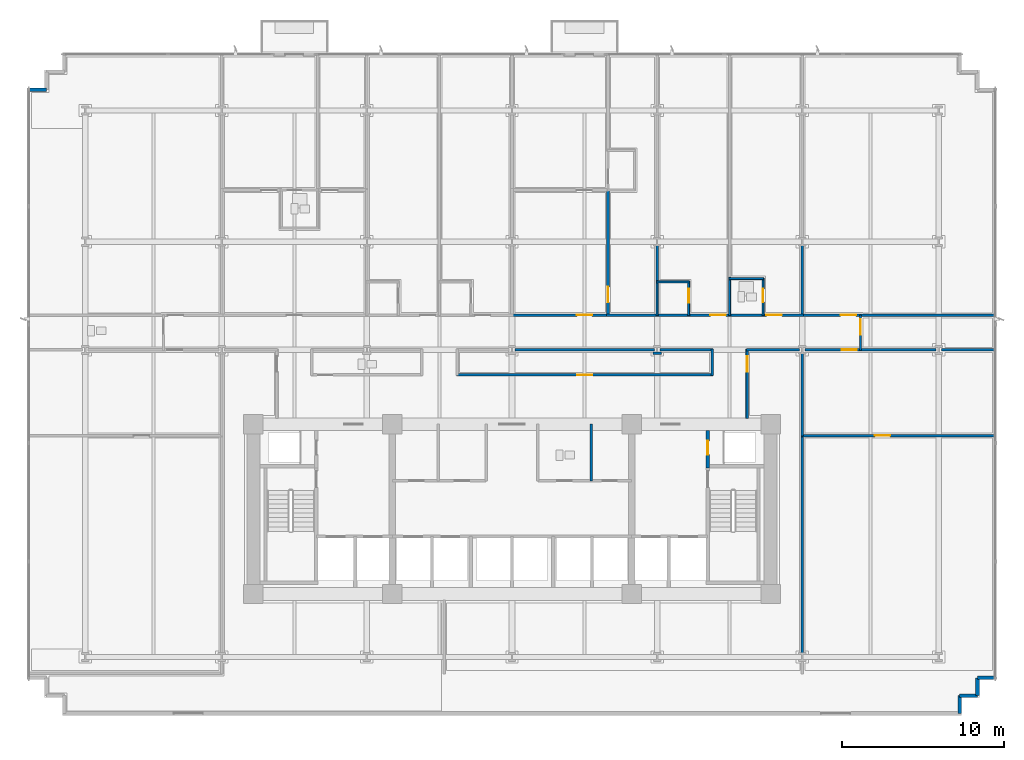
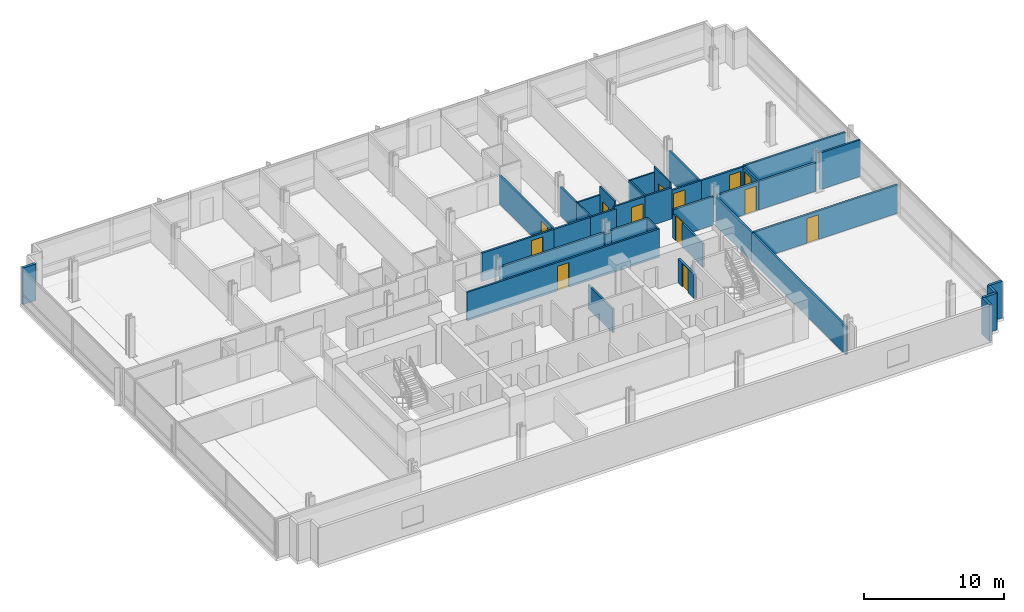
# One storey, part 10 of 16: 38 walls, 13 doors, 13 openings.
"""IFC4 building model written with IfcOpenShell, lengths in metres."""

from ifc_helpers import new_model, si_unit, direction, frame, frame_2d, origin, place, context, subcontext, project, spatial, rectangle, extrude, material, layer, layer_set, type_object, element, fill, save


model = new_model("IFC4")

# Units and contexts
model_context = context("Model", 3, precision=1e-05, world=origin(), true_north=direction((0.0, 1.0)))
body_context = subcontext(model_context, "Body", "Model", "MODEL_VIEW")
ifc_project = project(units=[si_unit("LENGTHUNIT", "METRE"), si_unit("AREAUNIT", "SQUARE_METRE"), si_unit("VOLUMEUNIT", "CUBIC_METRE"), si_unit("PLANEANGLEUNIT", "RADIAN"), si_unit("MASSUNIT", "GRAM", prefix="KILO")], contexts=[model_context])

# Site, building, storey
site_placement = place(None, origin())
site = spatial("IfcSite", under=ifc_project, at=site_placement, CompositionType="ELEMENT")
building_placement = place(site_placement, origin())
building = spatial("IfcBuilding", under=site, at=building_placement, Name="Solmavex Isthmus Hotel", CompositionType="ELEMENT")
storey_placement = place(building_placement, frame((0.0, 0.0, 67.800048828125)))
storey = spatial("IfcBuildingStorey", under=building, at=storey_placement, Name="L18", CompositionType="ELEMENT", Elevation=67.800048828125)

# Walls
ifc_material_1 = material(Name="Precast Concrete C40/50", Category="concrete")
ifc_layer_1 = layer(ifc_material_1, 0.25)
ifc_layer_set_1 = layer_set([ifc_layer_1], Name="Precast Concrete C40/50")
wall_type_1 = type_object("IfcWallType", Name="EW-TWR-250", PredefinedType="STANDARD", material=ifc_layer_set_1)
for number, where, z_axis, x_axis, name in (
    (1, (-29.889892578125, 18.18994140625, 0.0), (0.0, 0.0, 1.0), (1.0, 0.0, 0.0), "Serrated Corner Facade Panel L18-06"),
    (2, (29.889892578125, -18.18994140625, 0.0), (0.0, 0.0, 1.0), (-1.0, 0.0, 0.0), "Serrated Corner Facade Panel L18-16"),
):
    element("IfcWall", number, at=place(storey_placement, frame(where, z_axis=z_axis, x_axis=x_axis)), inside=storey, type_object=wall_type_1, Name=name, PredefinedType="STANDARD", context=body_context, shape_type="SweptSolid", body=[
        extrude(rectangle(XDim=1.099853515625, YDim=0.219970703125, at=frame_2d((0.5498046875, 0.0))), origin(), (0.0, 0.0, 1.0), 3.18994140625),
    ])
for number, where, z_axis, x_axis, name in (
    (3, (28.7900390625, -18.18994140625, 0.0), (0.0, 0.0, 1.0), (0.0, -1.0, 0.0), "Serrated Corner Facade Panel L18-17"),
    (4, (28.7900390625, -19.2900390625, 0.0), (0.0, 0.0, 1.0), (-1.0, 0.0, 0.0), "Serrated Corner Facade Panel L18-18"),
):
    element("IfcWall", number, at=place(storey_placement, frame(where, z_axis=z_axis, x_axis=x_axis)), inside=storey, type_object=wall_type_1, Name=name, PredefinedType="STANDARD", context=body_context, shape_type="SweptSolid", body=[
        extrude(rectangle(XDim=1.10009765625, YDim=0.219970703125, at=frame_2d((0.550048828125, 0.0))), origin(), (0.0, 0.0, 1.0), 3.18994140625),
    ])
wall_1_placement = place(storey_placement, frame((27.68994140625, -19.2900390625, 0.0), z_axis=(0.0, 0.0, 1.0), x_axis=(0.0, -1.0, 0.0)))
element("IfcWall", 5, at=wall_1_placement, inside=storey, type_object=wall_type_1, Name="Serrated Corner Facade Panel L18-19", PredefinedType="STANDARD", context=body_context, shape_type="SweptSolid", body=[
    extrude(rectangle(XDim=1.099853515625, YDim=0.219970703125, at=frame_2d((0.5498046875, 0.0))), origin(), (0.0, 0.0, 1.0), 3.18994140625),
])

# Wall, opening, door
ifc_material_2 = material(Name="Gypsum plasterboard lining", Category="gypsum")
ifc_layer_2 = layer(ifc_material_2, 0.159912109375)
ifc_layer_set_2 = layer_set([ifc_layer_2], Name="Gypsum plasterboard lining")
wall_type_2 = type_object("IfcWallType", Name="IW-COMP-160", PredefinedType="PARTITIONING", material=ifc_layer_set_2)
wall_2_placement = place(storey_placement, frame((5.93798828125, 12.028076171875, 0.0), z_axis=(0.0, 0.0, 1.0), x_axis=(0.0, -1.0, 0.0)))
wall_2 = element("IfcWall", 6, at=wall_2_placement, inside=storey, type_object=wall_type_2, Name="Interior Partition Wall W-L18-P064", PredefinedType="PARTITIONING", context=body_context, shape_type="SweptSolid", body=[
    extrude(rectangle(XDim=7.818115234375, YDim=0.159912109375, at=frame_2d((3.9091796875, 0.0))), origin(), (0.0, 0.0, 1.0), 2.4794921875),
])
opening_1_placement = place(wall_2_placement, frame((6.033935546875, 0.0, 0.0)))
opening_1 = element("IfcOpeningElement", 7, at=opening_1_placement, cuts=wall_2, Name="Opening ID-C095", PredefinedType="OPENING", context=body_context, shape_type="SweptSolid", body=[
    extrude(rectangle(XDim=0.949951171875, YDim=2.14990234375, at=frame_2d((0.47509765625, 1.074951171875))), frame((0.0, 0.08984375, 0.0), z_axis=(0.0, -1.0, 0.0), x_axis=(1.0, 0.0, 0.0)), (0.0, 0.0, 1.0), 0.179931640625),
])
ifc_material_3 = material(Name="Hardwood timber", Category="wood")
door_type_1 = type_object("IfcDoorType", Name="IDR-FD60-0950", OperationType="NOTDEFINED", PredefinedType="DOOR", material=ifc_material_3)
door_1_placement = place(opening_1_placement, frame((0.949951171875, 0.0, 0.0), z_axis=(0.0, 0.0, 1.0), x_axis=(-1.0, 0.0, 0.0)))
door_1 = element("IfcDoor", 8, at=door_1_placement, inside=storey, type_object=door_type_1, Name="Premier Suite Living Lounge Door L18-12", OperationType="SINGLE_SWING_RIGHT", OverallHeight=2.14990234375, OverallWidth=0.949951171875, PredefinedType="DOOR", context=body_context, shape_type="SweptSolid", body=[
    extrude(rectangle(XDim=0.949951171875, YDim=2.14990234375, at=frame_2d((0.47509765625, 1.074951171875))), frame((0.0, 0.02490234375, 0.0), z_axis=(0.0, -1.0, 0.0), x_axis=(1.0, 0.0, 0.0)), (0.0, 0.0, 1.0), 0.050048828125),
])
fill(opening_1, door_1)

# Walls
wall_3_placement = place(storey_placement, frame((8.97607421875, 8.613037109375, 0.0), z_axis=(0.0, 0.0, 1.0), x_axis=(0.0, -1.0, 0.0)))
element("IfcWall", 9, at=wall_3_placement, inside=storey, type_object=wall_type_2, Name="Interior Partition Wall W-L18-P070", PredefinedType="PARTITIONING", context=body_context, shape_type="SweptSolid", body=[
    extrude(rectangle(XDim=2.39501953125, YDim=0.159912109375, at=frame_2d((1.197509765625, 0.0))), origin(), (0.0, 0.0, 1.0), 2.4794921875),
])
wall_4_placement = place(storey_placement, frame((17.951904296875, 8.613037109375, 0.0), z_axis=(0.0, 0.0, 1.0), x_axis=(0.0, -1.0, 0.0)))
element("IfcWall", 10, at=wall_4_placement, inside=storey, type_object=wall_type_2, Name="Interior Partition Wall W-L18-P080", PredefinedType="PARTITIONING", context=body_context, shape_type="SweptSolid", body=[
    extrude(rectangle(XDim=4.403076171875, YDim=0.159912109375, at=frame_2d((2.20166015625, 0.0))), origin(), (0.0, 0.0, 1.0), 2.4794921875),
])
wall_5_placement = place(storey_placement, frame((29.919921875, 4.22998046875, 0.0), z_axis=(0.0, 0.0, 1.0), x_axis=(-1.0, 0.0, 0.0)))
element("IfcWall", 11, at=wall_5_placement, inside=storey, type_object=wall_type_2, Name="Interior Partition Wall W-L18-P083", PredefinedType="PARTITIONING", context=body_context, shape_type="SweptSolid", body=[
    extrude(rectangle(XDim=8.407958984375, YDim=0.159912109375, at=frame_2d((4.2041015625, 0.0))), origin(), (0.0, 0.0, 1.0), 2.55322265625),
])
wall_6_placement = place(storey_placement, frame((26.22509765625, 2.10009765625, 0.0), z_axis=(0.0, 0.0, 1.0), x_axis=(-1.0, 0.0, 0.0)))
element("IfcWall", 12, at=wall_6_placement, inside=storey, type_object=wall_type_2, Name="Interior Partition Wall W-L18-P086", PredefinedType="PARTITIONING", context=body_context, shape_type="SweptSolid", body=[
    extrude(rectangle(XDim=4.713134765625, YDim=0.159912109375, at=frame_2d((2.3564453125, 0.0))), origin(), (0.0, 0.0, 1.0), 2.4794921875),
])
wall_7_placement = place(storey_placement, frame((29.919921875, 2.10009765625, 0.0), z_axis=(0.0, 0.0, 1.0), x_axis=(-1.0, 0.0, 0.0)))
element("IfcWall", 13, at=wall_7_placement, inside=storey, type_object=wall_type_2, Name="Interior Partition Wall W-L18-P087", PredefinedType="PARTITIONING", context=body_context, shape_type="SweptSolid", body=[
    extrude(rectangle(XDim=3.344970703125, YDim=0.159912109375, at=frame_2d((1.67236328125, 0.0))), origin(), (0.0, 0.0, 1.0), 3.18994140625),
])
wall_8_placement = place(storey_placement, frame((17.951904296875, -3.239990234375, 0.0), z_axis=(0.0, 0.0, 1.0), x_axis=(0.0, 1.0, 0.0)))
element("IfcWall", 14, at=wall_8_placement, inside=storey, type_object=wall_type_2, Name="Interior Partition Wall W-L18-P090", PredefinedType="PARTITIONING", context=body_context, shape_type="SweptSolid", body=[
    extrude(rectangle(XDim=5.1650390625, YDim=0.159912109375, at=frame_2d((2.58251953125, 0.0))), origin(), (0.0, 0.0, 1.0), 2.4794921875),
])

# Wall, opening, door
wall_9_placement = place(storey_placement, frame((29.919921875, -3.199951171875, 0.0), z_axis=(0.0, 0.0, 1.0), x_axis=(-1.0, 0.0, 0.0)))
wall_9 = element("IfcWall", 15, at=wall_9_placement, inside=storey, type_object=wall_type_2, Name="Interior Partition Wall W-L18-P091", PredefinedType="PARTITIONING", context=body_context, shape_type="SweptSolid", body=[
    extrude(rectangle(XDim=12.0078125, YDim=0.159912109375, at=frame_2d((6.00390625, 0.0))), origin(), (0.0, 0.0, 1.0), 2.4794921875),
])
opening_2_placement = place(wall_9_placement, frame((6.531005859375, 0.0, 0.0)))
opening_2 = element("IfcOpeningElement", 16, at=opening_2_placement, cuts=wall_9, Name="Opening ID-C095", PredefinedType="OPENING", context=body_context, shape_type="SweptSolid", body=[
    extrude(rectangle(XDim=0.949951171875, YDim=2.14990234375, at=frame_2d((0.47509765625, 1.074951171875))), frame((0.0, 0.08984375, 0.0), z_axis=(0.0, -1.0, 0.0), x_axis=(1.0, 0.0, 0.0)), (0.0, 0.0, 1.0), 0.179931640625),
])
door_2_placement = place(opening_2_placement, origin())
door_2 = element("IfcDoor", 17, at=door_2_placement, inside=storey, type_object=door_type_1, Name="Corporate Briefing Office Door L18-28", OperationType="SINGLE_SWING_RIGHT", OverallHeight=2.14990234375, OverallWidth=0.949951171875, PredefinedType="DOOR", context=body_context, shape_type="SweptSolid", body=[
    extrude(rectangle(XDim=0.949951171875, YDim=2.14990234375, at=frame_2d((0.47509765625, 1.074951171875))), frame((0.0, 0.02490234375, 0.0), z_axis=(0.0, -1.0, 0.0), x_axis=(1.0, 0.0, 0.0)), (0.0, 0.0, 1.0), 0.050048828125),
])
fill(opening_2, door_2)

# Wall
wall_10_placement = place(storey_placement, frame((17.951904296875, -3.117919921875, 0.0), z_axis=(0.0, 0.0, 1.0), x_axis=(0.0, -1.0, 0.0)))
element("IfcWall", 18, at=wall_10_placement, inside=storey, type_object=wall_type_2, Name="Interior Partition Wall W-L18-P094", PredefinedType="PARTITIONING", context=body_context, shape_type="SweptSolid", body=[
    extrude(rectangle(XDim=13.607177734375, YDim=0.159912109375, at=frame_2d((6.8037109375, 0.0))), origin(), (0.0, 0.0, 1.0), 2.4794921875),
])

# Wall, opening, door
ifc_layer_3 = layer(ifc_material_2, 0.14990234375)
ifc_layer_set_3 = layer_set([ifc_layer_3], Name="Gypsum plasterboard lining")
wall_type_3 = type_object("IfcWallType", Name="IW-CORR-150", PredefinedType="PARTITIONING", material=ifc_layer_set_3)
wall_11_placement = place(storey_placement, frame((-0.08203125, 4.25, 0.0), z_axis=(0.0, 0.0, 1.0), x_axis=(1.0, 0.0, 0.0)))
wall_11 = element("IfcWall", 19, at=wall_11_placement, inside=storey, type_object=wall_type_3, Name="Interior Partition Wall W-L18-P007", PredefinedType="PARTITIONING", context=body_context, shape_type="SweptSolid", body=[
    extrude(rectangle(XDim=6.10205078125, YDim=0.14990234375, at=frame_2d((3.051025390625, 0.0))), origin(), (0.0, 0.0, 1.0), 2.4794921875),
])
opening_3_placement = place(wall_11_placement, frame((4.093505859375, 0.0, 0.0)))
opening_3 = element("IfcOpeningElement", 20, at=opening_3_placement, cuts=wall_11, Name="Opening ID-C095", PredefinedType="OPENING", context=body_context, shape_type="SweptSolid", body=[
    extrude(rectangle(XDim=0.949951171875, YDim=2.14990234375, at=frame_2d((0.47509765625, 1.074951171875))), frame((0.0, 0.0849609375, 0.0), z_axis=(0.0, -1.0, 0.0), x_axis=(1.0, 0.0, 0.0)), (0.0, 0.0, 1.0), 0.169921875),
])
door_3_placement = place(opening_3_placement, origin())
door_3 = element("IfcDoor", 21, at=door_3_placement, inside=storey, type_object=door_type_1, Name="Premier Suite Entrance Hall Door L18-10", OperationType="SINGLE_SWING_RIGHT", OverallHeight=2.14990234375, OverallWidth=0.949951171875, PredefinedType="DOOR", context=body_context, shape_type="SweptSolid", body=[
    extrude(rectangle(XDim=0.949951171875, YDim=2.14990234375, at=frame_2d((0.47509765625, 1.074951171875))), frame((0.0, 0.02490234375, 0.0), z_axis=(0.0, -1.0, 0.0), x_axis=(1.0, 0.0, 0.0)), (0.0, 0.0, 1.0), 0.050048828125),
])
fill(opening_3, door_3)

# Wall
wall_12_placement = place(storey_placement, frame((5.85595703125, 4.25, 0.0), z_axis=(0.0, 0.0, 1.0), x_axis=(1.0, 0.0, 0.0)))
element("IfcWall", 22, at=wall_12_placement, inside=storey, type_object=wall_type_3, Name="Interior Partition Wall W-L18-P008", PredefinedType="PARTITIONING", context=body_context, shape_type="SweptSolid", body=[
    extrude(rectangle(XDim=3.2021484375, YDim=0.14990234375, at=frame_2d((1.60107421875, 0.0))), origin(), (0.0, 0.0, 1.0), 2.4794921875),
])

# Wall, opening, door
wall_13_placement = place(storey_placement, frame((10.843994140625, 4.25, 0.0), z_axis=(0.0, 0.0, 1.0), x_axis=(1.0, 0.0, 0.0)))
wall_13 = element("IfcWall", 23, at=wall_13_placement, inside=storey, type_object=wall_type_3, Name="Interior Partition Wall W-L18-P009", PredefinedType="PARTITIONING", context=body_context, shape_type="SweptSolid", body=[
    extrude(rectangle(XDim=2.701904296875, YDim=0.14990234375, at=frame_2d((1.35107421875, 0.0))), origin(), (0.0, 0.0, 1.0), 2.718017578125),
])
opening_4_placement = place(wall_13_placement, frame((1.426513671875, 0.0, 0.0)))
opening_4 = element("IfcOpeningElement", 24, at=opening_4_placement, cuts=wall_13, Name="Opening ID-C095", PredefinedType="OPENING", context=body_context, shape_type="SweptSolid", body=[
    extrude(rectangle(XDim=0.949951171875, YDim=2.14990234375, at=frame_2d((0.47509765625, 1.074951171875))), frame((0.0, 0.0849609375, 0.0), z_axis=(0.0, -1.0, 0.0), x_axis=(1.0, 0.0, 0.0)), (0.0, 0.0, 1.0), 0.169921875),
])
door_4_placement = place(opening_4_placement, origin())
door_4 = element("IfcDoor", 25, at=door_4_placement, inside=storey, type_object=door_type_1, Name="Club Guest Room Door L18-14", OperationType="SINGLE_SWING_RIGHT", OverallHeight=2.14990234375, OverallWidth=0.949951171875, PredefinedType="DOOR", context=body_context, shape_type="SweptSolid", body=[
    extrude(rectangle(XDim=0.949951171875, YDim=2.14990234375, at=frame_2d((0.47509765625, 1.074951171875))), frame((0.0, 0.02490234375, 0.0), z_axis=(0.0, -1.0, 0.0), x_axis=(1.0, 0.0, 0.0)), (0.0, 0.0, 1.0), 0.050048828125),
])
fill(opening_4, door_4)

# Wall
wall_14_placement = place(storey_placement, frame((8.89404296875, 4.25, 0.0), z_axis=(0.0, 0.0, 1.0), x_axis=(1.0, 0.0, 0.0)))
element("IfcWall", 26, at=wall_14_placement, inside=storey, type_object=wall_type_3, Name="Interior Partition Wall W-L18-P010", PredefinedType="PARTITIONING", context=body_context, shape_type="SweptSolid", body=[
    extrude(rectangle(XDim=2.114013671875, YDim=0.14990234375, at=frame_2d((1.05712890625, 0.0))), origin(), (0.0, 0.0, 1.0), 2.4794921875),
])

# Wall, opening, door
wall_15_placement = place(storey_placement, frame((15.446533203125, 4.25, 0.0), z_axis=(0.0, 0.0, 1.0), x_axis=(1.0, 0.0, 0.0)))
wall_15 = element("IfcWall", 27, at=wall_15_placement, inside=storey, type_object=wall_type_3, Name="Interior Partition Wall W-L18-P011", PredefinedType="PARTITIONING", context=body_context, shape_type="SweptSolid", body=[
    extrude(rectangle(XDim=2.58740234375, YDim=0.14990234375, at=frame_2d((1.293701171875, 0.0))), origin(), (0.0, 0.0, 1.0), 2.4794921875),
])
opening_5_placement = place(wall_15_placement, frame((0.292236328125, 0.0, 0.0)))
opening_5 = element("IfcOpeningElement", 28, at=opening_5_placement, cuts=wall_15, Name="Opening ID-C095", PredefinedType="OPENING", context=body_context, shape_type="SweptSolid", body=[
    extrude(rectangle(XDim=0.949951171875, YDim=2.14990234375, at=frame_2d((0.47509765625, 1.074951171875))), frame((0.0, 0.0849609375, 0.0), z_axis=(0.0, -1.0, 0.0), x_axis=(1.0, 0.0, 0.0)), (0.0, 0.0, 1.0), 0.169921875),
])
door_5_placement = place(opening_5_placement, origin())
door_5 = element("IfcDoor", 29, at=door_5_placement, inside=storey, type_object=door_type_1, Name="Superior King Room Door L18-16", OperationType="SINGLE_SWING_RIGHT", OverallHeight=2.14990234375, OverallWidth=0.949951171875, PredefinedType="DOOR", context=body_context, shape_type="SweptSolid", body=[
    extrude(rectangle(XDim=0.949951171875, YDim=2.14990234375, at=frame_2d((0.47509765625, 1.074951171875))), frame((0.0, 0.02490234375, 0.0), z_axis=(0.0, -1.0, 0.0), x_axis=(1.0, 0.0, 0.0)), (0.0, 0.0, 1.0), 0.050048828125),
])
fill(opening_5, door_5)

# Wall
wall_16_placement = place(storey_placement, frame((13.382080078125, 4.25, 0.0), z_axis=(0.0, 0.0, 1.0), x_axis=(1.0, 0.0, 0.0)))
element("IfcWall", 30, at=wall_16_placement, inside=storey, type_object=wall_type_3, Name="Interior Partition Wall W-L18-P012", PredefinedType="PARTITIONING", context=body_context, shape_type="SweptSolid", body=[
    extrude(rectangle(XDim=2.228515625, YDim=0.14990234375, at=frame_2d((1.1142578125, 0.0))), origin(), (0.0, 0.0, 1.0), 2.718017578125),
])

# Wall, opening, door
wall_17_placement = place(storey_placement, frame((17.8701171875, 4.25, 0.0), z_axis=(0.0, 0.0, 1.0), x_axis=(1.0, 0.0, 0.0)))
wall_17 = element("IfcWall", 31, at=wall_17_placement, inside=storey, type_object=wall_type_3, Name="Interior Partition Wall W-L18-P013", PredefinedType="PARTITIONING", context=body_context, shape_type="SweptSolid", body=[
    extrude(rectangle(XDim=3.721923828125, YDim=0.14990234375, at=frame_2d((1.86083984375, 0.0))), origin(), (0.0, 0.0, 1.0), 2.4794921875),
])
opening_6_placement = place(wall_17_placement, frame((2.456787109375, 0.0, 0.0)))
opening_6 = element("IfcOpeningElement", 32, at=opening_6_placement, cuts=wall_17, Name="Opening ID-C095", PredefinedType="OPENING", context=body_context, shape_type="SweptSolid", body=[
    extrude(rectangle(XDim=0.949951171875, YDim=2.14990234375, at=frame_2d((0.47509765625, 1.074951171875))), frame((0.0, 0.0849609375, 0.0), z_axis=(0.0, -1.0, 0.0), x_axis=(1.0, 0.0, 0.0)), (0.0, 0.0, 1.0), 0.169921875),
])
door_6_placement = place(opening_6_placement, origin())
door_6 = element("IfcDoor", 33, at=door_6_placement, inside=storey, type_object=door_type_1, Name="Corporate Briefing Office Door L18-18", OperationType="SINGLE_SWING_RIGHT", OverallHeight=2.14990234375, OverallWidth=0.949951171875, PredefinedType="DOOR", context=body_context, shape_type="SweptSolid", body=[
    extrude(rectangle(XDim=0.949951171875, YDim=2.14990234375, at=frame_2d((0.47509765625, 1.074951171875))), frame((0.0, 0.02490234375, 0.0), z_axis=(0.0, -1.0, 0.0), x_axis=(1.0, 0.0, 0.0)), (0.0, 0.0, 1.0), 0.050048828125),
])
fill(opening_6, door_6)

wall_18_placement = place(storey_placement, frame((21.552001953125, 4.27001953125, 0.0), z_axis=(0.0, 0.0, 1.0), x_axis=(0.0, -1.0, 0.0)))
wall_18 = element("IfcWall", 34, at=wall_18_placement, inside=storey, type_object=wall_type_3, Name="Interior Partition Wall W-L18-P021", PredefinedType="PARTITIONING", context=body_context, shape_type="SweptSolid", body=[
    extrude(rectangle(XDim=2.2099609375, YDim=0.14990234375, at=frame_2d((1.10498046875, 0.0))), origin(), (0.0, 0.0, 1.0), 2.4794921875),
])
opening_7_placement = place(wall_18_placement, frame((0.272216796875, 0.0, 0.0)))
opening_7 = element("IfcOpeningElement", 35, at=opening_7_placement, cuts=wall_18, Name="Opening ID-C095", PredefinedType="OPENING", context=body_context, shape_type="SweptSolid", body=[
    extrude(rectangle(XDim=0.949951171875, YDim=2.14990234375, at=frame_2d((0.47509765625, 1.074951171875))), frame((0.0, 0.0849609375, 0.0), z_axis=(0.0, -1.0, 0.0), x_axis=(1.0, 0.0, 0.0)), (0.0, 0.0, 1.0), 0.169921875),
])
door_7_placement = place(opening_7_placement, origin())
door_7 = element("IfcDoor", 36, at=door_7_placement, inside=storey, type_object=door_type_1, Name="Yoga Fitness Studio Door L18-21", OperationType="SINGLE_SWING_LEFT", OverallHeight=2.14990234375, OverallWidth=0.949951171875, PredefinedType="DOOR", context=body_context, shape_type="SweptSolid", body=[
    extrude(rectangle(XDim=0.949951171875, YDim=2.14990234375, at=frame_2d((0.47509765625, 1.074951171875))), frame((0.0, 0.02490234375, 0.0), z_axis=(0.0, -1.0, 0.0), x_axis=(1.0, 0.0, 0.0)), (0.0, 0.0, 1.0), 0.050048828125),
])
fill(opening_7, door_7)

# Wall
wall_19_placement = place(storey_placement, frame((8.801025390625, 2.10009765625, 0.0), z_axis=(0.0, 0.0, 1.0), x_axis=(-1.0, 0.0, 0.0)))
element("IfcWall", 37, at=wall_19_placement, inside=storey, type_object=wall_type_3, Name="Interior Partition Wall W-L18-P022", PredefinedType="PARTITIONING", context=body_context, shape_type="SweptSolid", body=[
    extrude(rectangle(XDim=8.6259765625, YDim=0.14990234375, at=frame_2d((4.31298828125, 0.0))), origin(), (0.0, 0.0, 1.0), 2.4794921875),
])

# Wall, opening, door
wall_20_placement = place(storey_placement, frame((-3.427978515625, 0.550048828125, 0.0), z_axis=(0.0, 0.0, 1.0), x_axis=(1.0, 0.0, 0.0)))
wall_20 = element("IfcWall", 38, at=wall_20_placement, inside=storey, type_object=wall_type_3, Name="Interior Partition Wall W-L18-P026", PredefinedType="PARTITIONING", context=body_context, shape_type="SweptSolid", body=[
    extrude(rectangle(XDim=15.85205078125, YDim=0.14990234375, at=frame_2d((7.926025390625, 0.0))), origin(), (0.0, 0.0, 1.0), 2.4794921875),
])
opening_8_placement = place(wall_20_placement, frame((7.450927734375, 0.0, 0.0)))
opening_8 = element("IfcOpeningElement", 39, at=opening_8_placement, cuts=wall_20, Name="Opening ID-C095", PredefinedType="OPENING", context=body_context, shape_type="SweptSolid", body=[
    extrude(rectangle(XDim=0.949951171875, YDim=2.14990234375, at=frame_2d((0.47509765625, 1.074951171875))), frame((0.0, 0.0849609375, 0.0), z_axis=(0.0, -1.0, 0.0), x_axis=(1.0, 0.0, 0.0)), (0.0, 0.0, 1.0), 0.169921875),
])
door_8_placement = place(opening_8_placement, origin())
door_8 = element("IfcDoor", 40, at=door_8_placement, inside=storey, type_object=door_type_1, Name="Executive Boardroom Door L18-22", OperationType="SINGLE_SWING_RIGHT", OverallHeight=2.14990234375, OverallWidth=0.949951171875, PredefinedType="DOOR", context=body_context, shape_type="SweptSolid", body=[
    extrude(rectangle(XDim=0.949951171875, YDim=2.14990234375, at=frame_2d((0.47509765625, 1.074951171875))), frame((0.0, 0.02490234375, 0.0), z_axis=(0.0, -1.0, 0.0), x_axis=(1.0, 0.0, 0.0)), (0.0, 0.0, 1.0), 0.050048828125),
])
fill(opening_8, door_8)

# Walls
wall_21_placement = place(storey_placement, frame((12.384033203125, 0.510009765625, 0.0), z_axis=(0.0, 0.0, 1.0), x_axis=(0.0, 1.0, 0.0)))
element("IfcWall", 41, at=wall_21_placement, inside=storey, type_object=wall_type_3, Name="Interior Partition Wall W-L18-P027", PredefinedType="PARTITIONING", context=body_context, shape_type="SweptSolid", body=[
    extrude(rectangle(XDim=1.6298828125, YDim=0.14990234375, at=frame_2d((0.81494140625, 0.0))), origin(), (0.0, 0.0, 1.0), 2.4794921875),
])
wall_22_placement = place(storey_placement, frame((12.424072265625, 2.10009765625, 0.0), z_axis=(0.0, 0.0, 1.0), x_axis=(-1.0, 0.0, 0.0)))
element("IfcWall", 42, at=wall_22_placement, inside=storey, type_object=wall_type_3, Name="Interior Partition Wall W-L18-P028", PredefinedType="PARTITIONING", context=body_context, shape_type="SweptSolid", body=[
    extrude(rectangle(XDim=3.273193359375, YDim=0.14990234375, at=frame_2d((1.63671875, 0.0))), origin(), (0.0, 0.0, 1.0), 2.4794921875),
])
wall_23_placement = place(storey_placement, frame((9.23095703125, 1.885009765625, 0.0), z_axis=(0.0, 0.0, 1.0), x_axis=(-1.0, 0.0, 0.0)))
element("IfcWall", 43, at=wall_23_placement, inside=storey, type_object=wall_type_3, Name="Interior Partition Wall W-L18-P029", PredefinedType="PARTITIONING", context=body_context, shape_type="SweptSolid", body=[
    extrude(rectangle(XDim=0.510009765625, YDim=0.14990234375, at=frame_2d((0.2548828125, 0.0))), origin(), (0.0, 0.0, 1.0), 2.4794921875),
])

# Wall, opening, door
wall_24_placement = place(storey_placement, frame((21.592041015625, 2.10009765625, 0.0), z_axis=(0.0, 0.0, 1.0), x_axis=(-1.0, 0.0, 0.0)))
wall_24 = element("IfcWall", 44, at=wall_24_placement, inside=storey, type_object=wall_type_3, Name="Interior Partition Wall W-L18-P031", PredefinedType="PARTITIONING", context=body_context, shape_type="SweptSolid", body=[
    extrude(rectangle(XDim=3.465087890625, YDim=0.14990234375, at=frame_2d((1.732421875, 0.0))), origin(), (0.0, 0.0, 1.0), 2.4794921875),
])
opening_9_placement = place(wall_24_placement, frame((0.26220703125, 0.0, 0.0)))
opening_9 = element("IfcOpeningElement", 45, at=opening_9_placement, cuts=wall_24, Name="Opening ID-C095", PredefinedType="OPENING", context=body_context, shape_type="SweptSolid", body=[
    extrude(rectangle(XDim=0.949951171875, YDim=2.14990234375, at=frame_2d((0.47509765625, 1.074951171875))), frame((0.0, 0.0849609375, 0.0), z_axis=(0.0, -1.0, 0.0), x_axis=(1.0, 0.0, 0.0)), (0.0, 0.0, 1.0), 0.169921875),
])
door_9_placement = place(opening_9_placement, origin())
door_9 = element("IfcDoor", 46, at=door_9_placement, inside=storey, type_object=door_type_1, Name="Executive Boardroom Door L18-24", OperationType="SINGLE_SWING_RIGHT", OverallHeight=2.14990234375, OverallWidth=0.949951171875, PredefinedType="DOOR", context=body_context, shape_type="SweptSolid", body=[
    extrude(rectangle(XDim=0.949951171875, YDim=2.14990234375, at=frame_2d((0.47509765625, 1.074951171875))), frame((0.0, 0.02490234375, 0.0), z_axis=(0.0, -1.0, 0.0), x_axis=(1.0, 0.0, 0.0)), (0.0, 0.0, 1.0), 0.050048828125),
])
fill(opening_9, door_9)

# Wall
wall_25_placement = place(storey_placement, frame((17.777099609375, 2.10009765625, 0.0), z_axis=(0.0, 0.0, 1.0), x_axis=(-1.0, 0.0, 0.0)))
element("IfcWall", 47, at=wall_25_placement, inside=storey, type_object=wall_type_3, Name="Interior Partition Wall W-L18-P032", PredefinedType="PARTITIONING", context=body_context, shape_type="SweptSolid", body=[
    extrude(rectangle(XDim=3.273193359375, YDim=0.14990234375, at=frame_2d((1.63671875, 0.0))), origin(), (0.0, 0.0, 1.0), 2.4794921875),
])

# Wall, opening, door
wall_26_placement = place(storey_placement, frame((14.5439453125, 2.139892578125, 0.0), z_axis=(0.0, 0.0, 1.0), x_axis=(0.0, -1.0, 0.0)))
wall_26 = element("IfcWall", 48, at=wall_26_placement, inside=storey, type_object=wall_type_3, Name="Interior Partition Wall W-L18-P033", PredefinedType="PARTITIONING", context=body_context, shape_type="SweptSolid", body=[
    extrude(rectangle(XDim=4.27978515625, YDim=0.14990234375, at=frame_2d((2.139892578125, 0.0))), origin(), (0.0, 0.0, 1.0), 2.074951171875),
])
opening_10_placement = place(wall_26_placement, frame((0.43017578125, 0.0, 0.0)))
opening_10 = element("IfcOpeningElement", 49, at=opening_10_placement, cuts=wall_26, Name="Opening ID-C095", PredefinedType="OPENING", context=body_context, shape_type="SweptSolid", body=[
    extrude(rectangle(XDim=0.949951171875, YDim=2.14990234375, at=frame_2d((0.47509765625, 1.074951171875))), frame((0.0, 0.0849609375, 0.0), z_axis=(0.0, -1.0, 0.0), x_axis=(1.0, 0.0, 0.0)), (0.0, 0.0, 1.0), 0.169921875),
])
door_10_placement = place(opening_10_placement, frame((0.949951171875, 0.0, 0.0), z_axis=(0.0, 0.0, 1.0), x_axis=(-1.0, 0.0, 0.0)))
door_10 = element("IfcDoor", 50, at=door_10_placement, inside=storey, type_object=door_type_1, Name="Executive Hospitality Lounge Door L18-25", OperationType="SINGLE_SWING_LEFT", OverallHeight=2.14990234375, OverallWidth=0.949951171875, PredefinedType="DOOR", context=body_context, shape_type="SweptSolid", body=[
    extrude(rectangle(XDim=0.949951171875, YDim=2.14990234375, at=frame_2d((0.47509765625, 1.074951171875))), frame((0.0, 0.02490234375, 0.0), z_axis=(0.0, -1.0, 0.0), x_axis=(1.0, 0.0, 0.0)), (0.0, 0.0, 1.0), 0.050048828125),
])
fill(opening_10, door_10)

# Walls
ifc_layer_4 = layer(ifc_material_2, 0.1201171875)
ifc_layer_set_4 = layer_set([ifc_layer_4], Name="Gypsum plasterboard lining")
wall_type_4 = type_object("IfcWallType", Name="IW-PART-120", PredefinedType="PARTITIONING", material=ifc_layer_set_4)
wall_27_placement = place(storey_placement, frame((4.89990234375, -6.0, 0.0), z_axis=(0.0, 0.0, 1.0), x_axis=(0.0, 1.0, 0.0)))
element("IfcWall", 51, at=wall_27_placement, inside=storey, type_object=wall_type_4, Name="Interior Partition Wall W-L18-BOH-EM2", PredefinedType="PARTITIONING", context=body_context, shape_type="SweptSolid", body=[
    extrude(rectangle(XDim=3.5, YDim=0.14990234375, at=frame_2d((1.75, 0.0))), origin(), (0.0, 0.0, 1.0), 2.074951171875),
])
wall_28_placement = place(storey_placement, frame((8.97607421875, 6.382080078125, 0.0), z_axis=(0.0, 0.0, 1.0), x_axis=(0.0, -1.0, 0.0)))
element("IfcWall", 52, at=wall_28_placement, inside=storey, type_object=wall_type_4, Name="Interior Partition Wall W-L18-P073", PredefinedType="PARTITIONING", context=body_context, shape_type="SweptSolid", body=[
    extrude(rectangle(XDim=2.172119140625, YDim=0.1201171875, at=frame_2d((1.0859375, 0.0))), origin(), (0.0, 0.0, 1.0), 2.4794921875),
])

# Wall, opening, door
wall_29_placement = place(storey_placement, frame((10.926025390625, 4.2099609375, 0.0), z_axis=(0.0, 0.0, 1.0), x_axis=(0.0, 1.0, 0.0)))
wall_29 = element("IfcWall", 53, at=wall_29_placement, inside=storey, type_object=wall_type_4, Name="Interior Partition Wall W-L18-P074", PredefinedType="PARTITIONING", context=body_context, shape_type="SweptSolid", body=[
    extrude(rectangle(XDim=2.130126953125, YDim=0.1201171875, at=frame_2d((1.06494140625, 0.0))), origin(), (0.0, 0.0, 1.0), 3.18994140625),
])
opening_11_placement = place(wall_29_placement, frame((0.812255859375, 0.0, 0.0)))
opening_11 = element("IfcOpeningElement", 54, at=opening_11_placement, cuts=wall_29, Name="Opening ID-U085", PredefinedType="OPENING", context=body_context, shape_type="SweptSolid", body=[
    extrude(rectangle(XDim=0.85009765625, YDim=2.10009765625, at=frame_2d((0.425048828125, 1.050048828125))), frame((0.0, 0.070068359375, 0.0), z_axis=(0.0, -1.0, 0.0), x_axis=(1.0, 0.0, 0.0)), (0.0, 0.0, 1.0), 0.14013671875),
])
door_type_2 = type_object("IfcDoorType", Name="IDR-UNR-0850", OperationType="NOTDEFINED", PredefinedType="DOOR", material=ifc_material_3)
door_11_placement = place(opening_11_placement, frame((0.85009765625, 0.0, 0.0), z_axis=(0.0, 0.0, 1.0), x_axis=(-1.0, 0.0, 0.0)))
door_11 = element("IfcDoor", 55, at=door_11_placement, inside=storey, type_object=door_type_2, Name="En-suite Bathroom Door L18-15", OperationType="SINGLE_SWING_LEFT", OverallHeight=2.10009765625, OverallWidth=0.85009765625, PredefinedType="DOOR", context=body_context, shape_type="SweptSolid", body=[
    extrude(rectangle(XDim=0.85009765625, YDim=2.10009765625, at=frame_2d((0.425048828125, 1.050048828125))), frame((0.0, 0.02490234375, 0.0), z_axis=(0.0, -1.0, 0.0), x_axis=(1.0, 0.0, 0.0)), (0.0, 0.0, 1.0), 0.050048828125),
])
fill(opening_11, door_11)

# Walls
wall_30_placement = place(storey_placement, frame((10.966064453125, 6.300048828125, 0.0), z_axis=(0.0, 0.0, 1.0), x_axis=(-1.0, 0.0, 0.0)))
element("IfcWall", 56, at=wall_30_placement, inside=storey, type_object=wall_type_4, Name="Interior Partition Wall W-L18-P075", PredefinedType="PARTITIONING", context=body_context, shape_type="SweptSolid", body=[
    extrude(rectangle(XDim=2.030029296875, YDim=0.1201171875, at=frame_2d((1.01513671875, 0.0))), origin(), (0.0, 0.0, 1.0), 2.4794921875),
])
wall_31_placement = place(storey_placement, frame((13.464111328125, 6.58203125, 0.0), z_axis=(0.0, 0.0, 1.0), x_axis=(0.0, -1.0, 0.0)))
element("IfcWall", 57, at=wall_31_placement, inside=storey, type_object=wall_type_4, Name="Interior Partition Wall W-L18-P077", PredefinedType="PARTITIONING", context=body_context, shape_type="SweptSolid", body=[
    extrude(rectangle(XDim=2.3720703125, YDim=0.1201171875, at=frame_2d((1.18603515625, 0.0))), origin(), (0.0, 0.0, 1.0), 2.718017578125),
])

# Wall, opening, door
wall_32_placement = place(storey_placement, frame((15.528564453125, 4.2099609375, 0.0), z_axis=(0.0, 0.0, 1.0), x_axis=(0.0, 1.0, 0.0)))
wall_32 = element("IfcWall", 58, at=wall_32_placement, inside=storey, type_object=wall_type_4, Name="Interior Partition Wall W-L18-P078", PredefinedType="PARTITIONING", context=body_context, shape_type="SweptSolid", body=[
    extrude(rectangle(XDim=2.330078125, YDim=0.1201171875, at=frame_2d((1.1650390625, 0.0))), origin(), (0.0, 0.0, 1.0), 3.18994140625),
])
opening_12_placement = place(wall_32_placement, frame((0.83447265625, 0.0, 0.0)))
opening_12 = element("IfcOpeningElement", 59, at=opening_12_placement, cuts=wall_32, Name="Opening ID-U085", PredefinedType="OPENING", context=body_context, shape_type="SweptSolid", body=[
    extrude(rectangle(XDim=0.85009765625, YDim=2.10009765625, at=frame_2d((0.425048828125, 1.050048828125))), frame((0.0, 0.070068359375, 0.0), z_axis=(0.0, -1.0, 0.0), x_axis=(1.0, 0.0, 0.0)), (0.0, 0.0, 1.0), 0.14013671875),
])
door_12_placement = place(opening_12_placement, origin())
door_12 = element("IfcDoor", 60, at=door_12_placement, inside=storey, type_object=door_type_2, Name="En-suite Bathroom Door L18-17", OperationType="SINGLE_SWING_LEFT", OverallHeight=2.10009765625, OverallWidth=0.85009765625, PredefinedType="DOOR", context=body_context, shape_type="SweptSolid", body=[
    extrude(rectangle(XDim=0.85009765625, YDim=2.10009765625, at=frame_2d((0.425048828125, 1.050048828125))), frame((0.0, 0.02490234375, 0.0), z_axis=(0.0, -1.0, 0.0), x_axis=(1.0, 0.0, 0.0)), (0.0, 0.0, 1.0), 0.050048828125),
])
fill(opening_12, door_12)

# Wall
wall_33_placement = place(storey_placement, frame((15.568359375, 6.5, 0.0), z_axis=(0.0, 0.0, 1.0), x_axis=(-1.0, 0.0, 0.0)))
element("IfcWall", 61, at=wall_33_placement, inside=storey, type_object=wall_type_4, Name="Interior Partition Wall W-L18-P079", PredefinedType="PARTITIONING", context=body_context, shape_type="SweptSolid", body=[
    extrude(rectangle(XDim=2.144287109375, YDim=0.1201171875, at=frame_2d((1.072265625, 0.0))), origin(), (0.0, 0.0, 1.0), 2.718017578125),
])

# Wall, opening, door
ifc_material_4 = material(Name="Concrete C40/50", Category="concrete")
ifc_layer_5 = layer(ifc_material_4, 0.199951171875)
ifc_layer_set_5 = layer_set([ifc_layer_5], Name="Concrete C40/50")
wall_type_5 = type_object("IfcWallType", Name="IW-SHAFT-200", PredefinedType="PARTITIONING", material=ifc_layer_set_5)
wall_34_placement = place(storey_placement, frame((12.10009765625, -5.199951171875, 0.0), z_axis=(0.0, 0.0, 1.0), x_axis=(0.0, 1.0, 0.0)))
wall_34 = element("IfcWall", 62, at=wall_34_placement, inside=storey, type_object=wall_type_5, Name="Interior Partition Wall W-L18-RSE-W", PredefinedType="PARTITIONING", context=body_context, shape_type="SweptSolid", body=[
    extrude(rectangle(XDim=2.300048828125, YDim=0.199951171875, at=frame_2d((1.14990234375, 0.0))), origin(), (0.0, 0.0, 1.0), 2.074951171875),
])
opening_13_placement = place(wall_34_placement, frame((0.824951171875, 0.0, 0.0)))
opening_13 = element("IfcOpeningElement", 63, at=opening_13_placement, cuts=wall_34, Name="Opening ID-R085", PredefinedType="OPENING", context=body_context, shape_type="SweptSolid", body=[
    extrude(rectangle(XDim=0.85009765625, YDim=2.050048828125, at=frame_2d((0.425048828125, 1.02490234375))), frame((0.0, 0.10986328125, 0.0), z_axis=(0.0, -1.0, 0.0), x_axis=(1.0, 0.0, 0.0)), (0.0, 0.0, 1.0), 0.219970703125),
])
ifc_material_5 = material(Name="Steel ASTM A500 Grade C", Category="steel")
door_type_3 = type_object("IfcDoorType", Name="IDR-FD60-0850", OperationType="NOTDEFINED", PredefinedType="DOOR", material=ifc_material_5)
door_13_placement = place(opening_13_placement, frame((0.85009765625, 0.0, 0.0), z_axis=(0.0, 0.0, 1.0), x_axis=(-1.0, 0.0, 0.0)))
door_13 = element("IfcDoor", 64, at=door_13_placement, inside=storey, type_object=door_type_3, Name="Mechanical Riser Door L18", OperationType="SINGLE_SWING_LEFT", OverallHeight=2.050048828125, OverallWidth=0.85009765625, PredefinedType="DOOR", context=body_context, shape_type="SweptSolid", body=[
    extrude(rectangle(XDim=0.85009765625, YDim=2.050048828125, at=frame_2d((0.425048828125, 1.02490234375))), frame((0.0, 0.02490234375, 0.0), z_axis=(0.0, -1.0, 0.0), x_axis=(1.0, 0.0, 0.0)), (0.0, 0.0, 1.0), 0.050048828125),
])
fill(opening_13, door_13)

save(model, "model.ifc")
